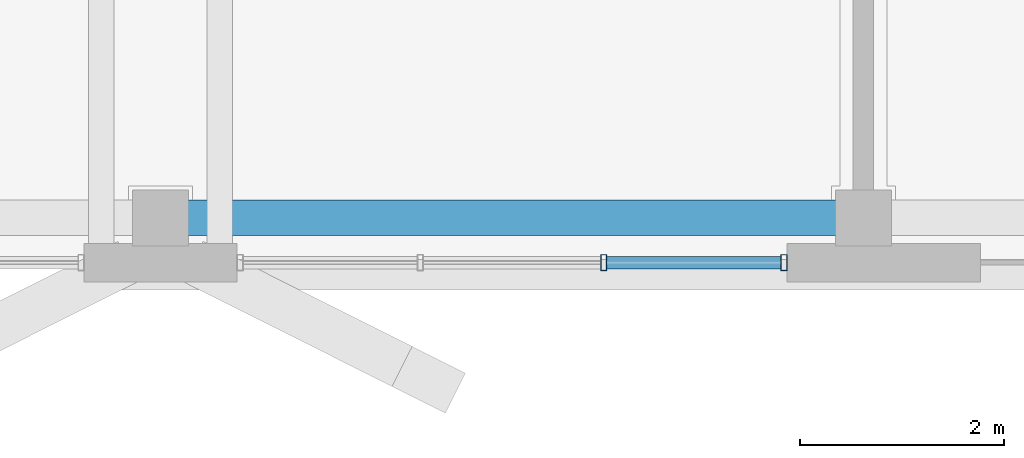
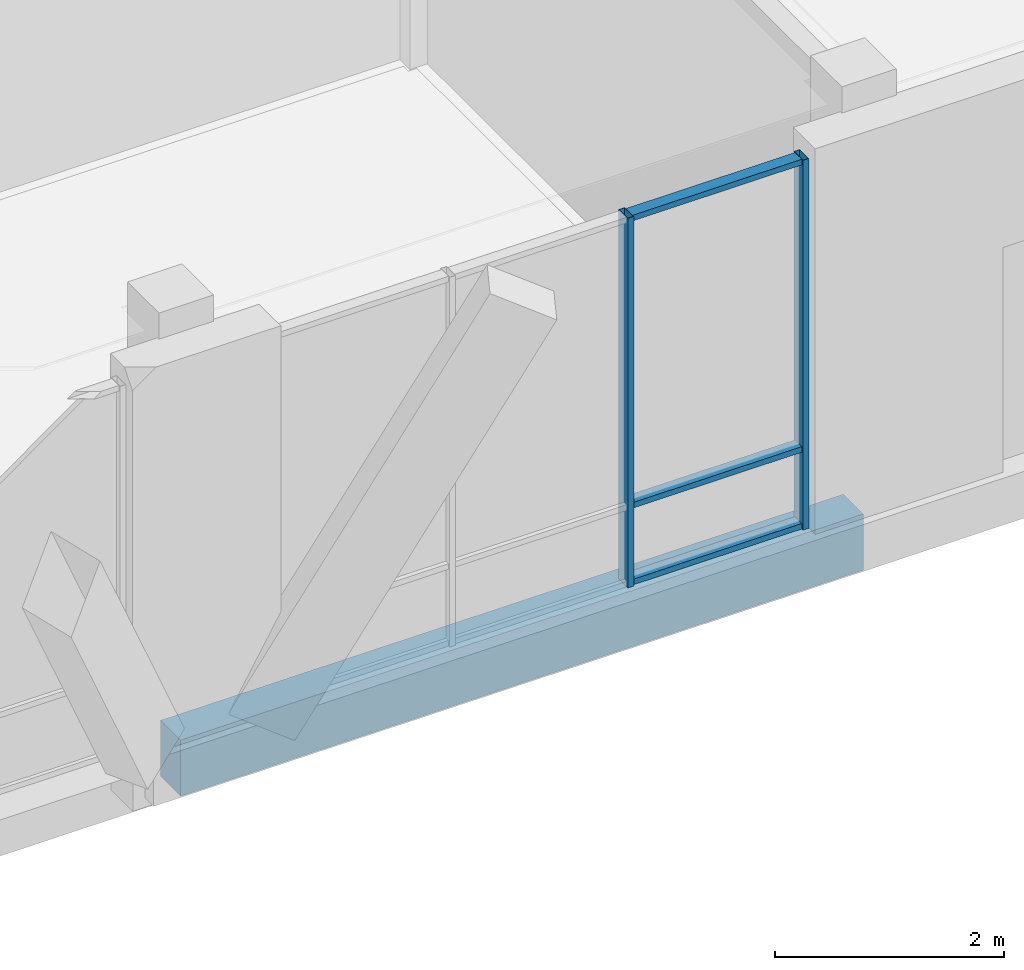
# One storey, part 136 of 233: 5 members, 1 beam, 1 element without a shape of its own.
"""IFC4 building model written with IfcOpenShell, lengths in metres."""

from ifc_helpers import new_model, si_unit, direction, frame, origin, origin_2d, place, context, subcontext, project, spatial, rectangle, hollow_rectangle, extrude, material, material_profile, profile_set, type_object, element, aggregate, save


model = new_model("IFC4")

# Units and contexts
model_context = context("Model", 3, precision=1e-05, world=origin(), true_north=direction((0.0, 1.0)))
body_context = subcontext(model_context, "Body", "Model", "MODEL_VIEW")
ifc_project = project(units=[si_unit("LENGTHUNIT", "METRE"), si_unit("AREAUNIT", "SQUARE_METRE"), si_unit("VOLUMEUNIT", "CUBIC_METRE"), si_unit("PLANEANGLEUNIT", "RADIAN"), si_unit("MASSUNIT", "GRAM", prefix="KILO")], contexts=[model_context])

# Site, building, storey
site_placement = place(None, origin())
site = spatial("IfcSite", under=ifc_project, at=site_placement, CompositionType="ELEMENT")
building_placement = place(site_placement, origin())
building = spatial("IfcBuilding", under=site, at=building_placement, Name="Zavelmont Quarter", CompositionType="ELEMENT")
storey_placement = place(building_placement, origin())
storey = spatial("IfcBuildingStorey", under=building, at=storey_placement, Name="L00", CompositionType="ELEMENT", Elevation=0.0)

# Beam
ifc_material_1 = material(Name="Concrete C35/45", Category="concrete")
ifc_material_profile_1 = material_profile(ifc_material_1, rectangle(XDim=0.35009765625, YDim=0.60009765625, at=origin_2d()), Name="RC350X600")
ifc_profile_set_1 = profile_set([ifc_material_profile_1], Name="Concrete C35/45")
beam_type = type_object("IfcBeamType", Name="BM01", PredefinedType="SPANDREL", material=ifc_profile_set_1)
beam_placement = place(storey_placement, frame((133.5, 0.43994140625, -0.6201171875), z_axis=(1.0, 0.0, 0.0), x_axis=(0.0, 1.0, 0.0)))
element("IfcBeam", 1, at=beam_placement, inside=storey, type_object=beam_type, Name="L00 beam BM01 20/A to 21/A", PredefinedType="SPANDREL", context=body_context, shape_type="SweptSolid", body=[
    extrude(rectangle(XDim=0.35009765625, YDim=0.60009765625, at=origin_2d()), origin(), (0.0, 0.0, 1.0), 6.89990234375),
])

# Curtain wall, members
ifc_material_2 = material(Name="Thermally broken aluminium and double low-E safety glazing", Category="aluminium")
curtain_wall_type = type_object("IfcCurtainWallType", Name="CW-540X395", PredefinedType="NOTDEFINED", material=ifc_material_2)
curtain_wall_placement = place(storey_placement, origin())
curtain_wall = element("IfcCurtainWall", 2, at=curtain_wall_placement, inside=storey, type_object=curtain_wall_type, Name="L00 unitised curtain wall CW-540X395", PredefinedType="NOTDEFINED")
ifc_material_3 = material(Name="Powder-coated aluminium EN AW-6063-T6", Category="aluminium")
ifc_material_profile_2 = material_profile(ifc_material_3, hollow_rectangle(XDim=0.06005859375, YDim=0.159912109375, WallThickness=0.00390625, at=origin_2d()), Name="CWM60X160")
ifc_profile_set_2 = profile_set([ifc_material_profile_2], Name="Powder-coated aluminium EN AW-6063-T6")
member_type_1 = type_object("IfcMemberType", Name="CWM01", PredefinedType="MULLION", material=ifc_profile_set_2)
member_1_placement = place(storey_placement, frame((137.85009765625, 0.0, 0.0), z_axis=(0.0, 0.0, 1.0), x_axis=(1.0, 0.0, 0.0)))
member_1 = element("IfcMember", 3, at=member_1_placement, type_object=member_type_1, Name="CW-540X395 mullion 3", PredefinedType="MULLION", context=body_context, shape_type="SweptSolid", body=[
    extrude(hollow_rectangle(XDim=0.06005859375, YDim=0.159912109375, WallThickness=0.00390625, at=origin_2d()), origin(), (0.0, 0.0, 1.0), 3.949951171875),
])
member_2_placement = place(storey_placement, frame((139.6201171875, 0.0, 0.0), z_axis=(0.0, 0.0, 1.0), x_axis=(1.0, 0.0, 0.0)))
member_2 = element("IfcMember", 4, at=member_2_placement, type_object=member_type_1, Name="CW-540X395 mullion 4", PredefinedType="MULLION", context=body_context, shape_type="SweptSolid", body=[
    extrude(hollow_rectangle(XDim=0.06005859375, YDim=0.159912109375, WallThickness=0.00390625, at=origin_2d()), origin(), (0.0, 0.0, 1.0), 3.949951171875),
])
ifc_material_profile_3 = material_profile(ifc_material_3, hollow_rectangle(XDim=0.1201171875, YDim=0.06005859375, WallThickness=0.00390625, at=origin_2d()), Name="CWT60X120")
ifc_profile_set_3 = profile_set([ifc_material_profile_3], Name="Powder-coated aluminium EN AW-6063-T6")
member_type_2 = type_object("IfcMemberType", Name="CWT01", PredefinedType="NOTDEFINED", material=ifc_profile_set_3)
member_3_placement = place(storey_placement, frame((137.8798828125, 0.0, 0.030029296875), z_axis=(1.0, 0.0, 0.0), x_axis=(0.0, 1.0, 0.0)))
member_3 = element("IfcMember", 5, at=member_3_placement, type_object=member_type_2, Name="CW-540X395 transom 3.1", ObjectType="TRANSOM", PredefinedType="USERDEFINED", context=body_context, shape_type="SweptSolid", body=[
    extrude(hollow_rectangle(XDim=0.1201171875, YDim=0.06005859375, WallThickness=0.00390625, at=origin_2d()), origin(), (0.0, 0.0, 1.0), 1.710205078125),
])
member_4_placement = place(storey_placement, frame((137.8798828125, 0.0, 0.85009765625), z_axis=(1.0, 0.0, 0.0), x_axis=(0.0, 1.0, 0.0)))
member_4 = element("IfcMember", 6, at=member_4_placement, type_object=member_type_2, Name="CW-540X395 transom 3.2", ObjectType="TRANSOM", PredefinedType="USERDEFINED", context=body_context, shape_type="SweptSolid", body=[
    extrude(hollow_rectangle(XDim=0.1201171875, YDim=0.06005859375, WallThickness=0.00390625, at=origin_2d()), origin(), (0.0, 0.0, 1.0), 1.710205078125),
])
member_5_placement = place(storey_placement, frame((137.8798828125, 0.0, 3.919921875), z_axis=(1.0, 0.0, 0.0), x_axis=(0.0, 1.0, 0.0)))
member_5 = element("IfcMember", 7, at=member_5_placement, type_object=member_type_2, Name="CW-540X395 transom 3.3", ObjectType="TRANSOM", PredefinedType="USERDEFINED", context=body_context, shape_type="SweptSolid", body=[
    extrude(hollow_rectangle(XDim=0.1201171875, YDim=0.06005859375, WallThickness=0.00390625, at=origin_2d()), origin(), (0.0, 0.0, 1.0), 1.710205078125),
])
aggregate(curtain_wall, [member_1, member_2, member_3, member_4, member_5])

save(model, "model.ifc")
